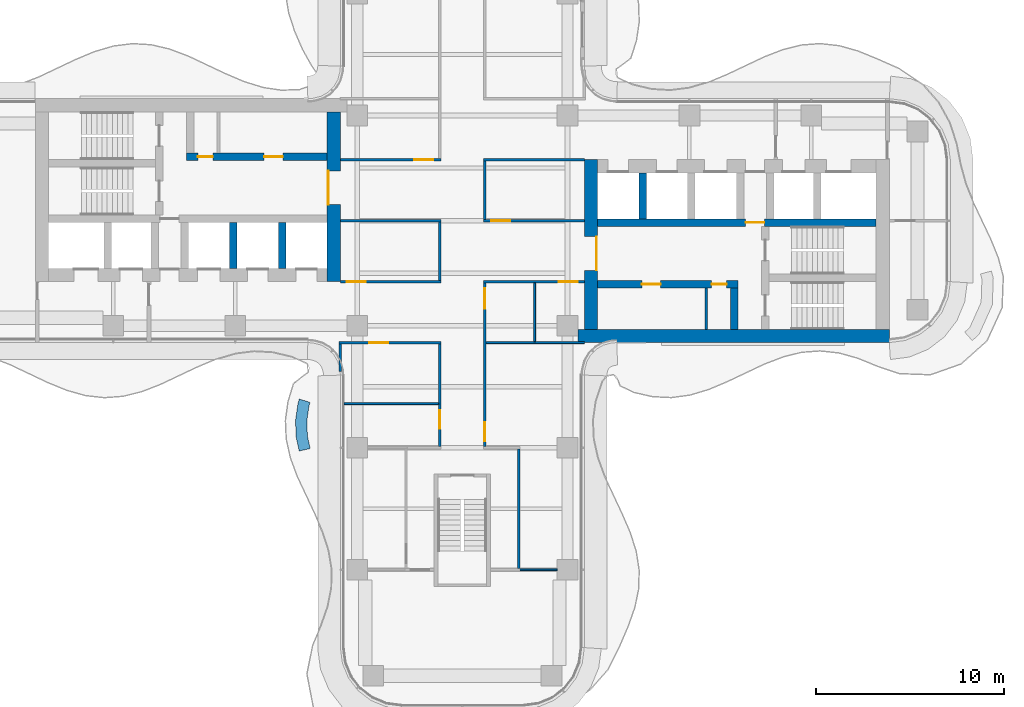
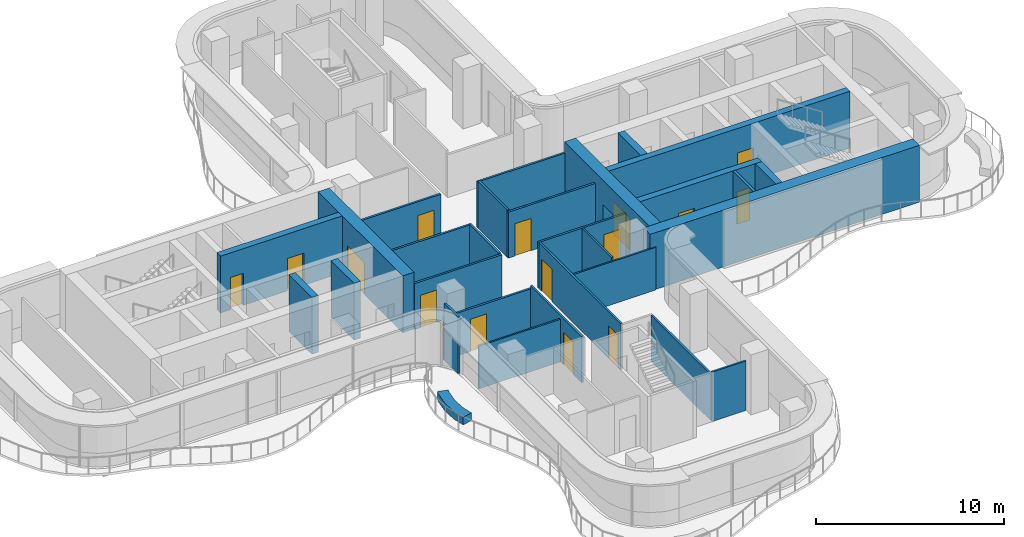
# One storey, part 15 of 19: 29 walls, 15 doors, 15 openings.
"""IFC4 building model written with IfcOpenShell, lengths in metres."""

import ifcopenshell
import ifcopenshell.guid

model = None  # the IFC model being written
_history = None  # IfcOwnerHistory: only IFC2X3 demands one
_inside = {}  # id of a spatial element -> (the spatial element, [elements in it])
_under = {}  # id of a project, library or spatial element -> (it, [spatial elements below it])
_declared = {}  # id of a project -> (the project, [libraries it declares])
_typed = {}  # id of a type object -> (the type object, [elements of that type])
_made_of = {}  # id of a material, layer set ... -> (it, [elements and type objects made of it])


def new_model(schema):
    """Start an empty IFC model of exactly this schema.

    Asked for "IFC4X3", IfcOpenShell would pick the latest addendum, in which some entities
    have other attributes; the version numbers below select the first issue.
    IFC2X3 requires an IfcOwnerHistory on every rooted entity: one is made here for all.
    """
    global model, _history
    if schema == "IFC4X3":
        model = ifcopenshell.file(schema_version=(4, 3, 0, 0))
    else:
        model = ifcopenshell.file(schema=schema)
    _inside.clear()
    _under.clear()
    _declared.clear()
    _typed.clear()
    _made_of.clear()
    _history = None
    if model.schema == "IFC2X3":
        org = make("IfcOrganization", Name="unknown")
        user = make(
            "IfcPersonAndOrganization",
            ThePerson=make("IfcPerson", FamilyName="unknown"),
            TheOrganization=org,
        )
        app = make(
            "IfcApplication",
            ApplicationDeveloper=org,
            Version="unknown",
            ApplicationFullName="unknown",
            ApplicationIdentifier="unknown",
        )
        _history = make(
            "IfcOwnerHistory",
            OwningUser=user,
            OwningApplication=app,
            ChangeAction="ADDED",
            CreationDate=0,
        )
    return model


def make(cls, **values):
    """One entity of the class cls with the attributes given. An attribute that is None is left unset."""
    return model.create_entity(
        cls, **{name: value for name, value in values.items() if value is not None}
    )


def rooted(cls, **values):
    """An entity with a GlobalId (a new one), such as an element, a storey or a relation."""
    return make(cls, GlobalId=ifcopenshell.guid.new(), OwnerHistory=_history, **values)


def si_unit(unit_type, name, prefix=None):
    """IfcSIUnit, for example si_unit("LENGTHUNIT", "METRE", prefix="MILLI")."""
    return make("IfcSIUnit", UnitType=unit_type, Prefix=prefix, Name=name)


def assignment(units):
    """IfcUnitAssignment: the units of a project."""
    return None if units is None else make("IfcUnitAssignment", Units=units)


def point(xyz):
    """IfcCartesianPoint."""
    return None if xyz is None else make("IfcCartesianPoint", Coordinates=xyz)


def direction(xyz):
    """IfcDirection."""
    return None if xyz is None else make("IfcDirection", DirectionRatios=xyz)


def frame(location, z_axis=None, x_axis=None):
    """IfcAxis2Placement3D, a coordinate frame: its origin and axes. An axis left out is left unset."""
    return make(
        "IfcAxis2Placement3D",
        Location=point(location),
        Axis=direction(z_axis),
        RefDirection=direction(x_axis),
    )


def frame_2d(location, x_axis=None):
    """IfcAxis2Placement2D, a coordinate frame in the plane: its origin and x axis."""
    return make(
        "IfcAxis2Placement2D", Location=point(location), RefDirection=direction(x_axis)
    )


def origin():
    """The frame at (0, 0, 0) with its axes left unset."""
    return frame((0.0, 0.0, 0.0))


def place(relative_to, where):
    """IfcLocalPlacement: puts the frame where relative to a parent placement (None: the world)."""
    return make(
        "IfcLocalPlacement", PlacementRelTo=relative_to, RelativePlacement=where
    )


def context(
    kind, dimensions, precision=None, world=None, true_north=None, identifier=None
):
    """IfcGeometricRepresentationContext, for example the 3D "Model" context."""
    return make(
        "IfcGeometricRepresentationContext",
        ContextIdentifier=identifier,
        ContextType=kind,
        CoordinateSpaceDimension=dimensions,
        Precision=precision,
        WorldCoordinateSystem=world,
        TrueNorth=true_north,
    )


def subcontext(parent, identifier, kind, view, scale=None):
    """IfcGeometricRepresentationSubContext, for example "Body" below "Model"."""
    return make(
        "IfcGeometricRepresentationSubContext",
        ContextIdentifier=identifier,
        ContextType=kind,
        ParentContext=parent,
        TargetScale=scale,
        TargetView=view,
    )


def project(units=None, contexts=None):
    """IfcProject with its units and contexts."""
    return rooted(
        "IfcProject",
        Name="project",
        RepresentationContexts=contexts,
        UnitsInContext=assignment(units),
    )


def spatial(cls, under=None, at=None, **own):
    """A site, building, storey or space (cls), placed at a placement, below another one or the project."""
    s = rooted(cls, ObjectPlacement=at, **own)
    if under is not None:
        _under.setdefault(under.id(), (under, []))[1].append(s)
    return s


def polyline(points):
    """IfcPolyline through the points."""
    return make("IfcPolyline", Points=[point(p) for p in points])


def profile(cls, at=None, kind="AREA", **sizes):
    """A parametric profile (cls). Its sizes go by their IFC names, for example OverallWidth=200.0."""
    return make(cls, ProfileType=kind, Position=at, **sizes)


def rectangle(**sizes):
    """IfcRectangleProfileDef."""
    return profile("IfcRectangleProfileDef", **sizes)


def outline(outer, holes=None, kind="AREA"):
    """IfcArbitraryClosedProfileDef: a profile drawn as a closed curve; with holes, ...WithVoids."""
    if holes is None:
        return make("IfcArbitraryClosedProfileDef", ProfileType=kind, OuterCurve=outer)
    return make(
        "IfcArbitraryProfileDefWithVoids",
        ProfileType=kind,
        OuterCurve=outer,
        InnerCurves=holes,
    )


def extrude(swept, where, along, depth):
    """IfcExtrudedAreaSolid: the profile swept, set in the frame where, extruded along a direction by depth."""
    return make(
        "IfcExtrudedAreaSolid",
        SweptArea=swept,
        Position=where,
        ExtrudedDirection=direction(along),
        Depth=depth,
    )


def shape(context_of_items, identifier, shape_type, items):
    """IfcShapeRepresentation: the items that make up one representation, for example the "Body"."""
    return make(
        "IfcShapeRepresentation",
        ContextOfItems=context_of_items,
        RepresentationIdentifier=identifier,
        RepresentationType=shape_type,
        Items=items,
    )


def source(mapping_origin, context_of_items, identifier, shape_type, items):
    """IfcRepresentationMap: a shape defined once, which mapped items show again and again."""
    return make(
        "IfcRepresentationMap",
        MappingOrigin=mapping_origin,
        MappedRepresentation=shape(context_of_items, identifier, shape_type, items),
    )


def transform(
    local_origin,
    x_axis=None,
    y_axis=None,
    z_axis=None,
    scale=None,
    scale2=None,
    scale3=None,
    uniform=True,
):
    """IfcCartesianTransformationOperator3D, or its non-uniform kind. x_axis, y_axis, z_axis: its Axis1, 2, 3."""
    if uniform:
        return make(
            "IfcCartesianTransformationOperator3D",
            Axis1=direction(x_axis),
            Axis2=direction(y_axis),
            LocalOrigin=point(local_origin),
            Scale=scale,
            Axis3=direction(z_axis),
        )
    return make(
        "IfcCartesianTransformationOperator3DnonUniform",
        Axis1=direction(x_axis),
        Axis2=direction(y_axis),
        LocalOrigin=point(local_origin),
        Scale=scale,
        Axis3=direction(z_axis),
        Scale2=scale2,
        Scale3=scale3,
    )


def mapped(mapping_source, mapping_target):
    """IfcMappedItem: shows the shape of a source again, moved by a transform."""
    return make(
        "IfcMappedItem", MappingSource=mapping_source, MappingTarget=mapping_target
    )


def material(Name=None, Category=None):
    """IfcMaterial."""
    return make("IfcMaterial", Name=Name, Category=Category)


def layer(
    of_material, thickness, ventilated=None, Name=None, Category=None, Priority=None
):
    """IfcMaterialLayer: one layer of a wall or slab, of a material (None: an air gap)."""
    return make(
        "IfcMaterialLayer",
        Material=of_material,
        LayerThickness=thickness,
        IsVentilated=ventilated,
        Name=Name,
        Category=Category,
        Priority=Priority,
    )


def layer_set(layers, Name=None):
    """IfcMaterialLayerSet."""
    return make("IfcMaterialLayerSet", MaterialLayers=layers, LayerSetName=Name)


def made_of(thing, what):
    """Note that an element or type object is made of a material, layer set ...; save() writes the relation."""
    if what is not None:
        _made_of.setdefault(what.id(), (what, []))[1].append(thing)
    return thing


def type_object(cls, material=None, **own):
    """A type object (cls), such as IfcWallType, which elements share."""
    return made_of(rooted(cls, **own), material)


def element(
    cls,
    number,
    at=None,
    inside=None,
    cuts=None,
    type_object=None,
    material=None,
    context=None,
    identifier="Body",
    shape_type=None,
    held_by="IfcProductDefinitionShape",
    body=None,
    shapes=None,
    **own,
):
    """One element of the class cls, such as IfcWall. Its Tag is "e" and its number.

    at: its placement. inside: the storey or other place that contains it. cuts: it is an
    opening in that element (IfcRelVoidsElement). A single representation is given by context,
    identifier, shape_type and body (its items); several are given by shapes. held_by: the class
    of the entity that holds the representations. save() writes the other relations.
    """
    e = rooted(cls, Tag="e%d" % number, ObjectPlacement=at, **own)
    if body is not None:
        shapes = [shape(context, identifier, shape_type, body)]
    if shapes is not None:
        e.Representation = make(held_by, Representations=shapes)
    if inside is not None:
        _inside.setdefault(inside.id(), (inside, []))[1].append(e)
    if cuts is not None:
        rooted(
            "IfcRelVoidsElement", RelatingBuildingElement=cuts, RelatedOpeningElement=e
        )
    if type_object is not None:
        _typed.setdefault(type_object.id(), (type_object, []))[1].append(e)
    return made_of(e, material)


def fill(opening, filler):
    """IfcRelFillsElement: the door or window that sits in an opening."""
    return rooted(
        "IfcRelFillsElement",
        RelatingOpeningElement=opening,
        RelatedBuildingElement=filler,
    )


def aggregate(whole, parts):
    """IfcRelAggregates: a whole, such as a stair, and the parts it consists of."""
    return rooted("IfcRelAggregates", RelatingObject=whole, RelatedObjects=parts)


def save(model, path):
    """Write the relations noted so far, then the file.

    IfcRelAggregates (storeys below a building ...), IfcRelContainedInSpatialStructure (elements
    in a storey), IfcRelDefinesByType, IfcRelAssociatesMaterial and IfcRelDeclares: one each for
    every whole, place, type object, material and project.
    """
    for whole, parts in _under.values():
        aggregate(whole, parts)
    for where, things in _inside.values():
        rooted(
            "IfcRelContainedInSpatialStructure",
            RelatedElements=things,
            RelatingStructure=where,
        )
    for kind, things in _typed.values():
        rooted("IfcRelDefinesByType", RelatedObjects=things, RelatingType=kind)
    for what, things in _made_of.values():
        rooted("IfcRelAssociatesMaterial", RelatedObjects=things, RelatingMaterial=what)
    for by, libraries in _declared.values():
        rooted("IfcRelDeclares", RelatingContext=by, RelatedDefinitions=libraries)
    model.write(path)


model = new_model("IFC4")

# Units and contexts
model_context = context("Model", 3, precision=1e-05, world=origin(), true_north=direction((0.0, 1.0)))
body_context = subcontext(model_context, "Body", "Model", "MODEL_VIEW")
ifc_project = project(units=[si_unit("LENGTHUNIT", "METRE"), si_unit("AREAUNIT", "SQUARE_METRE"), si_unit("VOLUMEUNIT", "CUBIC_METRE"), si_unit("PLANEANGLEUNIT", "RADIAN"), si_unit("MASSUNIT", "GRAM", prefix="KILO")], contexts=[model_context])

# Site, building, storey
site_placement = place(None, origin())
site = spatial("IfcSite", under=ifc_project, at=site_placement, CompositionType="ELEMENT")
building_placement = place(site_placement, origin())
building = spatial("IfcBuilding", under=site, at=building_placement, Name="Trellis Farm Tower", CompositionType="ELEMENT")
storey_placement = place(building_placement, frame((0.0, 0.0, 228.5)))
storey = spatial("IfcBuildingStorey", under=building, at=storey_placement, Name="L50", CompositionType="ELEMENT", Elevation=228.5)

# Wall
ifc_material_1 = material(Name="Sandstone faced masonry planter", Category="masonry")
ifc_layer_1 = layer(ifc_material_1, 0.60009765625)
ifc_layer_set_1 = layer_set([ifc_layer_1], Name="PLANTER BED 600")
wall_type_1 = type_object("IfcWallType", Name="PLANTER BED 600", PredefinedType="USERDEFINED", material=ifc_layer_set_1)
wall_1_placement = place(storey_placement, origin())
element("IfcWall", 1, at=wall_1_placement, inside=storey, type_object=wall_type_1, Name="PLANTER bed", ObjectType="PLANTER", PredefinedType="USERDEFINED", context=body_context, shape_type="SweptSolid", body=[
    extrude(outline(polyline([(-8.8896484375, -10.652587890625), (-8.759521484375, -9.74365234375), (-8.686767578125, -9.50732421875), (-8.11328125, -9.683837890625), (-8.172119140625, -9.875244140625), (-8.287841796875, -10.682861328125), (-8.2548828125, -11.47412109375), (-8.10693359375, -12.14501953125), (-8.693115234375, -12.274169921875), (-8.85205078125, -11.551513671875), (-8.8896484375, -10.652587890625)])), origin(), (0.0, 0.0, 1.0), 0.5),
])

# Wall, opening, door
ifc_material_2 = material(Name="Concrete C60/75", Category="concrete")
ifc_layer_2 = layer(ifc_material_2, 0.699951171875)
ifc_layer_set_2 = layer_set([ifc_layer_2], Name="CORE OUTER WALL 700 CONCRETE C60/75")
wall_type_2 = type_object("IfcWallType", Name="CORE OUTER WALL 700 CONCRETE C60/75", PredefinedType="SHEAR", material=ifc_layer_set_2)
shared_shape_1 = source(origin(), body_context, "Body", "SweptSolid", [
    extrude(rectangle(XDim=9.050048828125, YDim=0.699951171875, at=frame_2d((4.52490234375, 0.0))), origin(), (0.0, 0.0, 1.0), 3.699951171875),
])
wall_2_placement = place(storey_placement, frame((6.85009765625, -5.800048828125, 0.0), z_axis=(0.0, 0.0, 1.0), x_axis=(0.0, 1.0, 0.0)))
wall_2 = element("IfcWall", 2, at=wall_2_placement, inside=storey, type_object=wall_type_2, Name="Core wall", PredefinedType="SHEAR", context=body_context, shape_type="MappedRepresentation", body=[
    mapped(shared_shape_1, transform((0.0, 0.0, 0.0))),
])
shared_shape_2 = source(origin(), body_context, "Body", "SweptSolid", [
    extrude(rectangle(XDim=1.800048828125, YDim=2.10009765625, at=frame_2d((0.89990234375, 1.050048828125))), frame((0.0, 0.360107421875, 0.0), z_axis=(0.0, -1.0, 0.0), x_axis=(1.0, 0.0, 0.0)), (0.0, 0.0, 1.0), 0.72021484375),
])
opening_1_placement = place(wall_2_placement, frame((3.14990234375, 0.0, 0.0)))
opening_1 = element("IfcOpeningElement", 3, at=opening_1_placement, cuts=wall_2, Name="Opening DC1", PredefinedType="OPENING", context=body_context, shape_type="MappedRepresentation", body=[
    mapped(shared_shape_2, transform((0.0, 0.0, 0.0))),
])
ifc_material_3 = material(Name="Steel", Category="steel")
door_type_1 = type_object("IfcDoorType", Name="CORE FIRE DOOR DOUBLE 1800 X 2100", OperationType="DOUBLE_DOOR_SINGLE_SWING", PredefinedType="DOOR", material=ifc_material_3)
shared_shape_3 = source(origin(), body_context, "Body", "SweptSolid", [
    extrude(rectangle(XDim=1.800048828125, YDim=2.10009765625, at=frame_2d((0.89990234375, 1.050048828125))), frame((0.0, -0.27490234375, 0.0), z_axis=(0.0, -1.0, 0.0), x_axis=(1.0, 0.0, 0.0)), (0.0, 0.0, 1.0), 0.050048828125),
])
door_1_placement = place(opening_1_placement, origin())
door_1 = element("IfcDoor", 4, at=door_1_placement, inside=storey, type_object=door_type_1, Name="Core door", OperationType="DOUBLE_DOOR_SINGLE_SWING", OverallHeight=2.10009765625, OverallWidth=1.800048828125, PredefinedType="DOOR", context=body_context, shape_type="MappedRepresentation", body=[
    mapped(shared_shape_3, transform((0.0, 0.0, 0.0))),
])
fill(opening_1, door_1)

wall_3_placement = place(storey_placement, frame((-6.85009765625, 5.800048828125, 0.0), z_axis=(0.0, 0.0, 1.0), x_axis=(0.0, -1.0, 0.0)))
wall_3 = element("IfcWall", 5, at=wall_3_placement, inside=storey, type_object=wall_type_2, Name="Core wall", PredefinedType="SHEAR", context=body_context, shape_type="MappedRepresentation", body=[
    mapped(shared_shape_1, transform((0.0, 0.0, 0.0))),
])
opening_2_placement = place(wall_3_placement, frame((3.14990234375, 0.0, 0.0)))
opening_2 = element("IfcOpeningElement", 6, at=opening_2_placement, cuts=wall_3, Name="Opening DC87", PredefinedType="OPENING", context=body_context, shape_type="MappedRepresentation", body=[
    mapped(shared_shape_2, transform((0.0, 0.0, 0.0))),
])
door_2_placement = place(opening_2_placement, origin())
door_2 = element("IfcDoor", 7, at=door_2_placement, inside=storey, type_object=door_type_1, Name="Core door", OperationType="DOUBLE_DOOR_SINGLE_SWING", OverallHeight=2.10009765625, OverallWidth=1.800048828125, PredefinedType="DOOR", context=body_context, shape_type="MappedRepresentation", body=[
    mapped(shared_shape_3, transform((0.0, 0.0, 0.0))),
])
fill(opening_2, door_2)

# Walls
ifc_layer_3 = layer(ifc_material_2, 0.39990234375)
ifc_layer_set_3 = layer_set([ifc_layer_3], Name="CORE INNER WALL 400 CONCRETE C60/75")
wall_type_3 = type_object("IfcWallType", Name="CORE INNER WALL 400 CONCRETE C60/75", PredefinedType="SHEAR", material=ifc_layer_set_3)
shared_shape_4 = source(origin(), body_context, "Body", "SweptSolid", [
    extrude(rectangle(XDim=2.449951171875, YDim=0.39990234375, at=frame_2d((1.22509765625, 0.0))), origin(), (0.0, 0.0, 1.0), 3.699951171875),
])
for number, where, z_axis, x_axis, name in (
    (8, (9.60009765625, 0.10009765625, 0.0), (0.0, 0.0, 1.0), (0.0, 1.0, 0.0), "Core wall"),
    (9, (-9.60009765625, -0.10009765625, 0.0), (0.0, 0.0, 1.0), (0.0, -1.0, 0.0), "Core wall"),
    (10, (-12.199951171875, -0.10009765625, 0.0), (0.0, 0.0, 1.0), (0.0, -1.0, 0.0), "Core wall"),
):
    element("IfcWall", number, at=place(storey_placement, frame(where, z_axis=z_axis, x_axis=x_axis)), inside=storey, type_object=wall_type_3, Name=name, PredefinedType="SHEAR", context=body_context, shape_type="MappedRepresentation", body=[
        mapped(shared_shape_4, transform((0.0, 0.0, 0.0))),
    ])

# Wall, openings, doors
shared_shape_5 = source(origin(), body_context, "Body", "SweptSolid", [
    extrude(rectangle(XDim=7.5, YDim=0.39990234375, at=frame_2d((3.75, 0.0))), origin(), (0.0, 0.0, 1.0), 3.699951171875),
])
wall_4_placement = place(storey_placement, frame((7.199951171875, -3.39990234375, 0.0), z_axis=(0.0, 0.0, 1.0), x_axis=(1.0, 0.0, 0.0)))
wall_4 = element("IfcWall", 11, at=wall_4_placement, inside=storey, type_object=wall_type_3, Name="Core wall", PredefinedType="SHEAR", context=body_context, shape_type="MappedRepresentation", body=[
    mapped(shared_shape_5, transform((0.0, 0.0, 0.0))),
])
shared_shape_6 = source(origin(), body_context, "Body", "SweptSolid", [
    extrude(rectangle(XDim=1.0, YDim=2.10009765625, at=frame_2d((0.5, 1.050048828125))), frame((0.0, 0.2099609375, 0.0), z_axis=(0.0, -1.0, 0.0), x_axis=(1.0, 0.0, 0.0)), (0.0, 0.0, 1.0), 0.419921875),
])
opening_3_placement = place(wall_4_placement, frame((2.362548828125, 0.0, 0.0)))
opening_3 = element("IfcOpeningElement", 12, at=opening_3_placement, cuts=wall_4, Name="Opening DC55", PredefinedType="OPENING", context=body_context, shape_type="MappedRepresentation", body=[
    mapped(shared_shape_6, transform((0.0, 0.0, 0.0))),
])
shared_shape_7 = source(origin(), body_context, "Body", "SweptSolid", [
    extrude(rectangle(XDim=0.800048828125, YDim=2.10009765625, at=frame_2d((0.39990234375, 1.050048828125))), frame((0.0, 0.2099609375, 0.0), z_axis=(0.0, -1.0, 0.0), x_axis=(1.0, 0.0, 0.0)), (0.0, 0.0, 1.0), 0.419921875),
])
opening_4_placement = place(wall_4_placement, frame((6.08740234375, 0.0, 0.0)))
opening_4 = element("IfcOpeningElement", 13, at=opening_4_placement, cuts=wall_4, Name="Opening DC58", PredefinedType="OPENING", context=body_context, shape_type="MappedRepresentation", body=[
    mapped(shared_shape_7, transform((0.0, 0.0, 0.0))),
])
door_type_2 = type_object("IfcDoorType", Name="CORE FIRE DOOR 1000 X 2100", OperationType="NOTDEFINED", PredefinedType="DOOR", material=ifc_material_3)
shared_shape_8 = source(origin(), body_context, "Body", "SweptSolid", [
    extrude(rectangle(XDim=1.0, YDim=2.10009765625, at=frame_2d((0.5, 1.050048828125))), frame((0.0, 0.02490234375, 0.0), z_axis=(0.0, -1.0, 0.0), x_axis=(1.0, 0.0, 0.0)), (0.0, 0.0, 1.0), 0.050048828125),
])
door_3_placement = place(opening_3_placement, origin())
door_3 = element("IfcDoor", 14, at=door_3_placement, inside=storey, type_object=door_type_2, Name="Core door", OperationType="SINGLE_SWING_LEFT", OverallHeight=2.10009765625, OverallWidth=1.0, PredefinedType="DOOR", context=body_context, shape_type="MappedRepresentation", body=[
    mapped(shared_shape_8, transform((0.0, 0.0, 0.0))),
])
fill(opening_3, door_3)
door_type_3 = type_object("IfcDoorType", Name="CORE FIRE DOOR 800 X 2100", OperationType="NOTDEFINED", PredefinedType="DOOR", material=ifc_material_3)
shared_shape_9 = source(origin(), body_context, "Body", "SweptSolid", [
    extrude(rectangle(XDim=0.800048828125, YDim=2.10009765625, at=frame_2d((0.39990234375, 1.050048828125))), frame((0.0, 0.02490234375, 0.0), z_axis=(0.0, -1.0, 0.0), x_axis=(1.0, 0.0, 0.0)), (0.0, 0.0, 1.0), 0.050048828125),
])
door_4_placement = place(opening_4_placement, origin())
door_4 = element("IfcDoor", 15, at=door_4_placement, inside=storey, type_object=door_type_3, Name="Core door", OperationType="SINGLE_SWING_RIGHT", OverallHeight=2.10009765625, OverallWidth=0.800048828125, PredefinedType="DOOR", context=body_context, shape_type="MappedRepresentation", body=[
    mapped(shared_shape_9, transform((0.0, 0.0, 0.0))),
])
fill(opening_4, door_4)

wall_5_placement = place(storey_placement, frame((-7.199951171875, 3.39990234375, 0.0), z_axis=(0.0, 0.0, 1.0), x_axis=(-1.0, 0.0, 0.0)))
wall_5 = element("IfcWall", 16, at=wall_5_placement, inside=storey, type_object=wall_type_3, Name="Core wall", PredefinedType="SHEAR", context=body_context, shape_type="MappedRepresentation", body=[
    mapped(shared_shape_5, transform((0.0, 0.0, 0.0))),
])
opening_5_placement = place(wall_5_placement, frame((2.362548828125, 0.0, 0.0)))
opening_5 = element("IfcOpeningElement", 17, at=opening_5_placement, cuts=wall_5, Name="Opening DC141", PredefinedType="OPENING", context=body_context, shape_type="MappedRepresentation", body=[
    mapped(shared_shape_6, transform((0.0, 0.0, 0.0))),
])
opening_6_placement = place(wall_5_placement, frame((6.08740234375, 0.0, 0.0)))
opening_6 = element("IfcOpeningElement", 18, at=opening_6_placement, cuts=wall_5, Name="Opening DC144", PredefinedType="OPENING", context=body_context, shape_type="MappedRepresentation", body=[
    mapped(shared_shape_7, transform((0.0, 0.0, 0.0))),
])
door_5_placement = place(opening_5_placement, origin())
door_5 = element("IfcDoor", 19, at=door_5_placement, inside=storey, type_object=door_type_2, Name="Core door", OperationType="SINGLE_SWING_LEFT", OverallHeight=2.10009765625, OverallWidth=1.0, PredefinedType="DOOR", context=body_context, shape_type="MappedRepresentation", body=[
    mapped(shared_shape_8, transform((0.0, 0.0, 0.0))),
])
fill(opening_5, door_5)
door_6_placement = place(opening_6_placement, origin())
door_6 = element("IfcDoor", 20, at=door_6_placement, inside=storey, type_object=door_type_3, Name="Core door", OperationType="SINGLE_SWING_RIGHT", OverallHeight=2.10009765625, OverallWidth=0.800048828125, PredefinedType="DOOR", context=body_context, shape_type="MappedRepresentation", body=[
    mapped(shared_shape_9, transform((0.0, 0.0, 0.0))),
])
fill(opening_6, door_6)

# Wall, opening, door
shared_shape_10 = source(origin(), body_context, "Body", "SweptSolid", [
    extrude(rectangle(XDim=14.85009765625, YDim=0.39990234375, at=frame_2d((7.425048828125, 0.0))), origin(), (0.0, 0.0, 1.0), 3.699951171875),
])
wall_6_placement = place(storey_placement, frame((7.199951171875, -0.10009765625, 0.0), z_axis=(0.0, 0.0, 1.0), x_axis=(1.0, 0.0, 0.0)))
wall_6 = element("IfcWall", 21, at=wall_6_placement, inside=storey, type_object=wall_type_3, Name="Core wall", PredefinedType="SHEAR", context=body_context, shape_type="MappedRepresentation", body=[
    mapped(shared_shape_10, transform((0.0, 0.0, 0.0))),
])
opening_7_placement = place(wall_6_placement, frame((7.89990234375, 0.0, 0.0)))
opening_7 = element("IfcOpeningElement", 22, at=opening_7_placement, cuts=wall_6, Name="Opening DC5", PredefinedType="OPENING", context=body_context, shape_type="MappedRepresentation", body=[
    mapped(shared_shape_6, transform((0.0, 0.0, 0.0))),
])
door_7_placement = place(opening_7_placement, origin())
door_7 = element("IfcDoor", 23, at=door_7_placement, inside=storey, type_object=door_type_2, Name="Core door", OperationType="SINGLE_SWING_RIGHT", OverallHeight=2.10009765625, OverallWidth=1.0, PredefinedType="DOOR", context=body_context, shape_type="MappedRepresentation", body=[
    mapped(shared_shape_8, transform((0.0, 0.0, 0.0))),
])
fill(opening_7, door_7)

# Walls
shared_shape_11 = source(origin(), body_context, "Body", "SweptSolid", [
    extrude(rectangle(XDim=2.199951171875, YDim=0.39990234375, at=frame_2d((1.10009765625, 0.0))), origin(), (0.0, 0.0, 1.0), 3.699951171875),
])
wall_7_placement = place(storey_placement, frame((14.5, -5.800048828125, 0.0), z_axis=(0.0, 0.0, 1.0), x_axis=(0.0, 1.0, 0.0)))
element("IfcWall", 24, at=wall_7_placement, inside=storey, type_object=wall_type_3, Name="Core wall", PredefinedType="SHEAR", context=body_context, shape_type="MappedRepresentation", body=[
    mapped(shared_shape_11, transform((0.0, 0.0, 0.0))),
])
ifc_material_4 = material(Name="Masonry blockwork", Category="masonry")
ifc_layer_4 = layer(ifc_material_4, 0.14990234375)
ifc_layer_set_4 = layer_set([ifc_layer_4], Name="CORE PARTITION 150 BLOCKWORK")
wall_type_4 = type_object("IfcWallType", Name="CORE PARTITION 150 BLOCKWORK", PredefinedType="PARTITIONING", material=ifc_layer_set_4)
shared_shape_12 = source(origin(), body_context, "Body", "SweptSolid", [
    extrude(rectangle(XDim=2.199951171875, YDim=0.14990234375, at=frame_2d((1.10009765625, 0.0))), origin(), (0.0, 0.0, 1.0), 3.699951171875),
])
wall_8_placement = place(storey_placement, frame((13.0, -5.800048828125, 0.0), z_axis=(0.0, 0.0, 1.0), x_axis=(0.0, 1.0, 0.0)))
element("IfcWall", 25, at=wall_8_placement, inside=storey, type_object=wall_type_4, Name="Core room partition", PredefinedType="PARTITIONING", context=body_context, shape_type="MappedRepresentation", body=[
    mapped(shared_shape_12, transform((0.0, 0.0, 0.0))),
])
shared_shape_13 = source(origin(), body_context, "Body", "SweptSolid", [
    extrude(rectangle(XDim=16.60009765625, YDim=0.699951171875, at=frame_2d((8.300048828125, 0.0))), origin(), (0.0, 0.0, 1.0), 3.699951171875),
])
wall_9_placement = place(storey_placement, frame((6.14990234375, -6.14990234375, 0.0), z_axis=(0.0, 0.0, 1.0), x_axis=(1.0, 0.0, 0.0)))
element("IfcWall", 26, at=wall_9_placement, inside=storey, type_object=wall_type_2, Name="Core wall", PredefinedType="SHEAR", context=body_context, shape_type="MappedRepresentation", body=[
    mapped(shared_shape_13, transform((0.0, 0.0, 0.0))),
])

# Wall, opening, door
ifc_material_5 = material(Name="Plasterboard on steel studs, mineral wool", Category="steel")
ifc_layer_5 = layer(ifc_material_5, 0.125)
ifc_layer_set_5 = layer_set([ifc_layer_5], Name="PARTITION 125 STUD EI 60")
wall_type_5 = type_object("IfcWallType", Name="PARTITION 125 STUD EI 60", PredefinedType="PARTITIONING", material=ifc_layer_set_5)
shared_shape_14 = source(origin(), body_context, "Body", "SweptSolid", [
    extrude(rectangle(XDim=5.47509765625, YDim=0.125, at=frame_2d((2.737548828125, 0.0))), origin(), (0.0, 0.0, 1.0), 2.99658203125),
])
wall_10_placement = place(storey_placement, frame((-1.199951171875, -12.03759765625, 0.0), z_axis=(0.0, 0.0, 1.0), x_axis=(0.0, 1.0, 0.0)))
wall_10 = element("IfcWall", 27, at=wall_10_placement, inside=storey, type_object=wall_type_5, Name="Partition PW1", PredefinedType="PARTITIONING", context=body_context, shape_type="MappedRepresentation", body=[
    mapped(shared_shape_14, transform((0.0, 0.0, 0.0))),
])
shared_shape_15 = source(origin(), body_context, "Body", "SweptSolid", [
    extrude(rectangle(XDim=1.0, YDim=2.10009765625, at=frame_2d((0.5, 1.050048828125))), frame((0.0, 0.072509765625, 0.0), z_axis=(0.0, -1.0, 0.0), x_axis=(1.0, 0.0, 0.0)), (0.0, 0.0, 1.0), 0.14501953125),
])
opening_8_placement = place(wall_10_placement, frame((0.9375, 0.0, 0.0)))
opening_8 = element("IfcOpeningElement", 28, at=opening_8_placement, cuts=wall_10, Name="Opening D104", PredefinedType="OPENING", context=body_context, shape_type="MappedRepresentation", body=[
    mapped(shared_shape_15, transform((0.0, 0.0, 0.0))),
])
ifc_material_6 = material(Name="Fire-rated timber door leaf in a hollow metal frame", Category="wood")
door_type_4 = type_object("IfcDoorType", Name="DOOR 1000x2100 FD30S", OperationType="NOTDEFINED", PredefinedType="DOOR", material=ifc_material_6)
door_8_placement = place(opening_8_placement, origin())
door_8 = element("IfcDoor", 29, at=door_8_placement, inside=storey, type_object=door_type_4, Name="Door D104", OperationType="SINGLE_SWING_RIGHT", OverallHeight=2.10009765625, OverallWidth=1.0, PredefinedType="DOOR", context=body_context, shape_type="MappedRepresentation", body=[
    mapped(shared_shape_8, transform((0.0, 0.0, 0.0))),
])
fill(opening_8, door_8)

# Walls
shared_shape_16 = source(origin(), body_context, "Body", "SweptSolid", [
    extrude(rectangle(XDim=3.125, YDim=0.125, at=frame_2d((1.5625, 0.0))), origin(), (0.0, 0.0, 1.0), 3.06787109375),
])
for number, where, z_axis, x_axis, name in (
    (30, (-1.199951171875, -0.0625, 0.0), (0.0, 0.0, 1.0), (0.0, -1.0, 0.0), "Partition PW1"),
    (31, (1.199951171875, 3.1875, 0.0), (0.0, 0.0, 1.0), (0.0, -1.0, 0.0), "Partition PW1"),
):
    element("IfcWall", number, at=place(storey_placement, frame(where, z_axis=z_axis, x_axis=x_axis)), inside=storey, type_object=wall_type_5, Name=name, PredefinedType="PARTITIONING", context=body_context, shape_type="MappedRepresentation", body=[
        mapped(shared_shape_16, transform((0.0, 0.0, 0.0))),
    ])
shared_shape_17 = source(origin(), body_context, "Body", "SweptSolid", [
    extrude(rectangle(XDim=1.468994140625, YDim=0.125, at=frame_2d((0.734375, 0.0))), origin(), (0.0, 0.0, 1.0), 3.699951171875),
])
wall_11_placement = place(storey_placement, frame((-6.5, -6.5625, 0.0), z_axis=(0.0, 0.0, 1.0), x_axis=(0.0, -1.0, 0.0)))
element("IfcWall", 32, at=wall_11_placement, inside=storey, type_object=wall_type_5, Name="Partition PW1", PredefinedType="PARTITIONING", context=body_context, shape_type="MappedRepresentation", body=[
    mapped(shared_shape_17, transform((0.0, 0.0, 0.0))),
])

# Wall, opening, door
shared_shape_18 = source(origin(), body_context, "Body", "SweptSolid", [
    extrude(rectangle(XDim=5.362548828125, YDim=0.125, at=frame_2d((2.68115234375, 0.0))), origin(), (0.0, 0.0, 1.0), 2.99658203125),
])
wall_12_placement = place(storey_placement, frame((-1.137451171875, -3.25, 0.0), z_axis=(0.0, 0.0, 1.0), x_axis=(-1.0, 0.0, 0.0)))
wall_12 = element("IfcWall", 33, at=wall_12_placement, inside=storey, type_object=wall_type_5, Name="Partition PW1", PredefinedType="PARTITIONING", context=body_context, shape_type="MappedRepresentation", body=[
    mapped(shared_shape_18, transform((0.0, 0.0, 0.0))),
])
opening_9_placement = place(wall_12_placement, frame((4.012451171875, 0.0, 0.0)))
opening_9 = element("IfcOpeningElement", 34, at=opening_9_placement, cuts=wall_12, Name="Opening D106", PredefinedType="OPENING", context=body_context, shape_type="MappedRepresentation", body=[
    mapped(shared_shape_15, transform((0.0, 0.0, 0.0))),
])
door_9_placement = place(opening_9_placement, origin())
door_9 = element("IfcDoor", 35, at=door_9_placement, inside=storey, type_object=door_type_4, Name="Door D106", OperationType="SINGLE_SWING_RIGHT", OverallHeight=2.10009765625, OverallWidth=1.0, PredefinedType="DOOR", context=body_context, shape_type="MappedRepresentation", body=[
    mapped(shared_shape_8, transform((0.0, 0.0, 0.0))),
])
fill(opening_9, door_9)

wall_13_placement = place(storey_placement, frame((6.5, -3.25, 0.0), z_axis=(0.0, 0.0, 1.0), x_axis=(-1.0, 0.0, 0.0)))
wall_13 = element("IfcWall", 36, at=wall_13_placement, inside=storey, type_object=wall_type_5, Name="Partition PW1", PredefinedType="PARTITIONING", context=body_context, shape_type="MappedRepresentation", body=[
    mapped(shared_shape_18, transform((0.0, 0.0, 0.0))),
])
opening_10_placement = place(wall_13_placement, frame((0.35009765625, 0.0, 0.0)))
opening_10 = element("IfcOpeningElement", 37, at=opening_10_placement, cuts=wall_13, Name="Opening D107", PredefinedType="OPENING", context=body_context, shape_type="MappedRepresentation", body=[
    mapped(shared_shape_15, transform((0.0, 0.0, 0.0))),
])
door_10_placement = place(opening_10_placement, origin())
door_10 = element("IfcDoor", 38, at=door_10_placement, inside=storey, type_object=door_type_4, Name="Door D107", OperationType="SINGLE_SWING_LEFT", OverallHeight=2.10009765625, OverallWidth=1.0, PredefinedType="DOOR", context=body_context, shape_type="MappedRepresentation", body=[
    mapped(shared_shape_8, transform((0.0, 0.0, 0.0))),
])
fill(opening_10, door_10)

# Wall
wall_14_placement = place(storey_placement, frame((-1.137451171875, 0.0, 0.0), z_axis=(0.0, 0.0, 1.0), x_axis=(-1.0, 0.0, 0.0)))
element("IfcWall", 39, at=wall_14_placement, inside=storey, type_object=wall_type_5, Name="Partition PW1", PredefinedType="PARTITIONING", context=body_context, shape_type="MappedRepresentation", body=[
    mapped(shared_shape_18, transform((0.0, 0.0, 0.0))),
])

# Wall, opening, door
wall_15_placement = place(storey_placement, frame((6.5, 0.0, 0.0), z_axis=(0.0, 0.0, 1.0), x_axis=(-1.0, 0.0, 0.0)))
wall_15 = element("IfcWall", 40, at=wall_15_placement, inside=storey, type_object=wall_type_5, Name="Partition PW1", PredefinedType="PARTITIONING", context=body_context, shape_type="MappedRepresentation", body=[
    mapped(shared_shape_18, transform((0.0, 0.0, 0.0))),
])
opening_11_placement = place(wall_15_placement, frame((3.949951171875, 0.0, 0.0)))
opening_11 = element("IfcOpeningElement", 41, at=opening_11_placement, cuts=wall_15, Name="Opening D108", PredefinedType="OPENING", context=body_context, shape_type="MappedRepresentation", body=[
    mapped(shared_shape_15, transform((0.0, 0.0, 0.0))),
])
door_11_placement = place(opening_11_placement, origin())
door_11 = element("IfcDoor", 42, at=door_11_placement, inside=storey, type_object=door_type_4, Name="Door D108", OperationType="SINGLE_SWING_RIGHT", OverallHeight=2.10009765625, OverallWidth=1.0, PredefinedType="DOOR", context=body_context, shape_type="MappedRepresentation", body=[
    mapped(shared_shape_8, transform((0.0, 0.0, 0.0))),
])
fill(opening_11, door_11)

wall_16_placement = place(storey_placement, frame((-6.5, 3.25, 0.0), z_axis=(0.0, 0.0, 1.0), x_axis=(1.0, 0.0, 0.0)))
wall_16 = element("IfcWall", 43, at=wall_16_placement, inside=storey, type_object=wall_type_5, Name="Partition PW1", PredefinedType="PARTITIONING", context=body_context, shape_type="MappedRepresentation", body=[
    mapped(shared_shape_18, transform((0.0, 0.0, 0.0))),
])
opening_12_placement = place(wall_16_placement, frame((3.949951171875, 0.0, 0.0)))
opening_12 = element("IfcOpeningElement", 44, at=opening_12_placement, cuts=wall_16, Name="Opening D110", PredefinedType="OPENING", context=body_context, shape_type="MappedRepresentation", body=[
    mapped(shared_shape_15, transform((0.0, 0.0, 0.0))),
])
door_12_placement = place(opening_12_placement, origin())
door_12 = element("IfcDoor", 45, at=door_12_placement, inside=storey, type_object=door_type_4, Name="Door D110", OperationType="SINGLE_SWING_RIGHT", OverallHeight=2.10009765625, OverallWidth=1.0, PredefinedType="DOOR", context=body_context, shape_type="MappedRepresentation", body=[
    mapped(shared_shape_8, transform((0.0, 0.0, 0.0))),
])
fill(opening_12, door_12)

# Wall
wall_17_placement = place(storey_placement, frame((1.137451171875, 3.25, 0.0), z_axis=(0.0, 0.0, 1.0), x_axis=(1.0, 0.0, 0.0)))
element("IfcWall", 46, at=wall_17_placement, inside=storey, type_object=wall_type_5, Name="Partition PW1", PredefinedType="PARTITIONING", context=body_context, shape_type="MappedRepresentation", body=[
    mapped(shared_shape_18, transform((0.0, 0.0, 0.0))),
])

# Wall, openings, doors
shared_shape_19 = source(origin(), body_context, "Body", "SweptSolid", [
    extrude(rectangle(XDim=8.72509765625, YDim=0.125, at=frame_2d((4.362548828125, 0.0))), origin(), (0.0, 0.0, 1.0), 2.99658203125),
])
wall_18_placement = place(storey_placement, frame((1.199951171875, -3.3125, 0.0), z_axis=(0.0, 0.0, 1.0), x_axis=(0.0, -1.0, 0.0)))
wall_18 = element("IfcWall", 47, at=wall_18_placement, inside=storey, type_object=wall_type_5, Name="Partition PW1", PredefinedType="PARTITIONING", context=body_context, shape_type="MappedRepresentation", body=[
    mapped(shared_shape_19, transform((0.0, 0.0, 0.0))),
])
opening_13_placement = place(wall_18_placement, frame((7.4375, 0.0, 0.0)))
opening_13 = element("IfcOpeningElement", 48, at=opening_13_placement, cuts=wall_18, Name="Opening D103", PredefinedType="OPENING", context=body_context, shape_type="MappedRepresentation", body=[
    mapped(shared_shape_15, transform((0.0, 0.0, 0.0))),
])
shared_shape_20 = source(origin(), body_context, "Body", "SweptSolid", [
    extrude(rectangle(XDim=1.10009765625, YDim=2.10009765625, at=frame_2d((0.550048828125, 1.050048828125))), frame((0.0, 0.072509765625, 0.0), z_axis=(0.0, -1.0, 0.0), x_axis=(1.0, 0.0, 0.0)), (0.0, 0.0, 1.0), 0.14501953125),
])
opening_14_placement = place(wall_18_placement, frame((0.28759765625, 0.0, 0.0)))
opening_14 = element("IfcOpeningElement", 49, at=opening_14_placement, cuts=wall_18, Name="Opening D501", PredefinedType="OPENING", context=body_context, shape_type="MappedRepresentation", body=[
    mapped(shared_shape_20, transform((0.0, 0.0, 0.0))),
])
door_type_5 = type_object("IfcDoorType", Name="DOOR 1100x2100 FD30S", OperationType="NOTDEFINED", PredefinedType="DOOR", material=ifc_material_6)
shared_shape_21 = source(origin(), body_context, "Body", "SweptSolid", [
    extrude(rectangle(XDim=1.10009765625, YDim=2.10009765625, at=frame_2d((0.550048828125, 1.050048828125))), frame((0.0, 0.02490234375, 0.0), z_axis=(0.0, -1.0, 0.0), x_axis=(1.0, 0.0, 0.0)), (0.0, 0.0, 1.0), 0.050048828125),
])
door_13_placement = place(opening_14_placement, origin())
door_13 = element("IfcDoor", 50, at=door_13_placement, inside=storey, type_object=door_type_5, Name="Door D501", OperationType="SINGLE_SWING_LEFT", OverallHeight=2.10009765625, OverallWidth=1.10009765625, PredefinedType="DOOR", context=body_context, shape_type="MappedRepresentation", body=[
    mapped(shared_shape_21, transform((0.0, 0.0, 0.0))),
])
fill(opening_14, door_13)
door_14_placement = place(opening_13_placement, origin())
door_14 = element("IfcDoor", 51, at=door_14_placement, inside=storey, type_object=door_type_4, Name="Door D103", OperationType="SINGLE_SWING_RIGHT", OverallHeight=2.10009765625, OverallWidth=1.0, PredefinedType="DOOR", context=body_context, shape_type="MappedRepresentation", body=[
    mapped(shared_shape_8, transform((0.0, 0.0, 0.0))),
])
fill(opening_13, door_14)

# Wall, opening, door
shared_shape_22 = source(origin(), body_context, "Body", "SweptSolid", [
    extrude(rectangle(XDim=5.425048828125, YDim=0.125, at=frame_2d((2.71240234375, 0.0))), origin(), (0.0, 0.0, 1.0), 2.780029296875),
])
wall_19_placement = place(storey_placement, frame((-1.137451171875, -6.5, 0.0), z_axis=(0.0, 0.0, 1.0), x_axis=(-1.0, 0.0, 0.0)))
wall_19 = element("IfcWall", 52, at=wall_19_placement, inside=storey, type_object=wall_type_5, Name="Partition PW1", PredefinedType="PARTITIONING", context=body_context, shape_type="MappedRepresentation", body=[
    mapped(shared_shape_22, transform((0.0, 0.0, 0.0))),
])
opening_15_placement = place(wall_19_placement, frame((2.8125, 0.0, 0.0)))
opening_15 = element("IfcOpeningElement", 53, at=opening_15_placement, cuts=wall_19, Name="Opening D105", PredefinedType="OPENING", context=body_context, shape_type="MappedRepresentation", body=[
    mapped(shared_shape_15, transform((0.0, 0.0, 0.0))),
])
door_15_placement = place(opening_15_placement, origin())
door_15 = element("IfcDoor", 54, at=door_15_placement, inside=storey, type_object=door_type_4, Name="Door D105", OperationType="SINGLE_SWING_RIGHT", OverallHeight=2.10009765625, OverallWidth=1.0, PredefinedType="DOOR", context=body_context, shape_type="MappedRepresentation", body=[
    mapped(shared_shape_8, transform((0.0, 0.0, 0.0))),
])
fill(opening_15, door_15)

# Walls
ifc_material_7 = material(Name="Plasterboard on steel studs", Category="steel")
ifc_layer_6 = layer(ifc_material_7, 0.10009765625)
ifc_layer_set_6 = layer_set([ifc_layer_6], Name="PARTITION 100 STUD EI 30")
wall_type_6 = type_object("IfcWallType", Name="PARTITION 100 STUD EI 30", PredefinedType="PARTITIONING", material=ifc_layer_set_6)
shared_shape_23 = source(origin(), body_context, "Body", "SweptSolid", [
    extrude(rectangle(XDim=5.03759765625, YDim=0.10009765625, at=frame_2d((2.518798828125, 0.0))), origin(), (0.0, 0.0, 1.0), 2.780029296875),
])
wall_20_placement = place(storey_placement, frame((-6.300048828125, -9.75, 0.0), z_axis=(0.0, 0.0, 1.0), x_axis=(1.0, 0.0, 0.0)))
element("IfcWall", 55, at=wall_20_placement, inside=storey, type_object=wall_type_6, Name="Partition PW2", PredefinedType="PARTITIONING", context=body_context, shape_type="MappedRepresentation", body=[
    mapped(shared_shape_23, transform((0.0, 0.0, 0.0))),
])
shared_shape_24 = source(origin(), body_context, "Body", "SweptSolid", [
    extrude(rectangle(XDim=5.237548828125, YDim=0.10009765625, at=frame_2d((2.61865234375, 0.0))), origin(), (0.0, 0.0, 1.0), 2.780029296875),
])
wall_21_placement = place(storey_placement, frame((1.262451171875, -6.5, 0.0), z_axis=(0.0, 0.0, 1.0), x_axis=(1.0, 0.0, 0.0)))
element("IfcWall", 56, at=wall_21_placement, inside=storey, type_object=wall_type_6, Name="Partition PW2", PredefinedType="PARTITIONING", context=body_context, shape_type="MappedRepresentation", body=[
    mapped(shared_shape_24, transform((0.0, 0.0, 0.0))),
])
shared_shape_25 = source(origin(), body_context, "Body", "SweptSolid", [
    extrude(rectangle(XDim=6.387451171875, YDim=0.125, at=frame_2d((3.19384765625, 0.0))), origin(), (0.0, 0.0, 1.0), 2.99658203125),
])
wall_22_placement = place(storey_placement, frame((3.0, -12.16259765625, 0.0), z_axis=(0.0, 0.0, 1.0), x_axis=(0.0, -1.0, 0.0)))
element("IfcWall", 57, at=wall_22_placement, inside=storey, type_object=wall_type_5, Name="Partition PW1", PredefinedType="PARTITIONING", context=body_context, shape_type="MappedRepresentation", body=[
    mapped(shared_shape_25, transform((0.0, 0.0, 0.0))),
])
shared_shape_26 = source(origin(), body_context, "Body", "SweptSolid", [
    extrude(rectangle(XDim=3.137451171875, YDim=0.10009765625, at=frame_2d((1.56884765625, 0.0))), origin(), (0.0, 0.0, 1.0), 2.99658203125),
])
wall_23_placement = place(storey_placement, frame((3.85009765625, -6.449951171875, 0.0), z_axis=(0.0, 0.0, 1.0), x_axis=(0.0, 1.0, 0.0)))
element("IfcWall", 58, at=wall_23_placement, inside=storey, type_object=wall_type_6, Name="Partition PW2", PredefinedType="PARTITIONING", context=body_context, shape_type="MappedRepresentation", body=[
    mapped(shared_shape_26, transform((0.0, 0.0, 0.0))),
])
shared_shape_27 = source(origin(), body_context, "Body", "SweptSolid", [
    extrude(rectangle(XDim=2.112548828125, YDim=0.10009765625, at=frame_2d((1.05615234375, 0.0))), origin(), (0.0, 0.0, 1.0), 3.222900390625),
])
wall_24_placement = place(storey_placement, frame((2.9375, -18.60009765625, 0.0), z_axis=(0.0, 0.0, 1.0), x_axis=(1.0, 0.0, 0.0)))
element("IfcWall", 59, at=wall_24_placement, inside=storey, type_object=wall_type_6, Name="Partition PW2", PredefinedType="PARTITIONING", context=body_context, shape_type="MappedRepresentation", body=[
    mapped(shared_shape_27, transform((0.0, 0.0, 0.0))),
])

save(model, "model.ifc")
